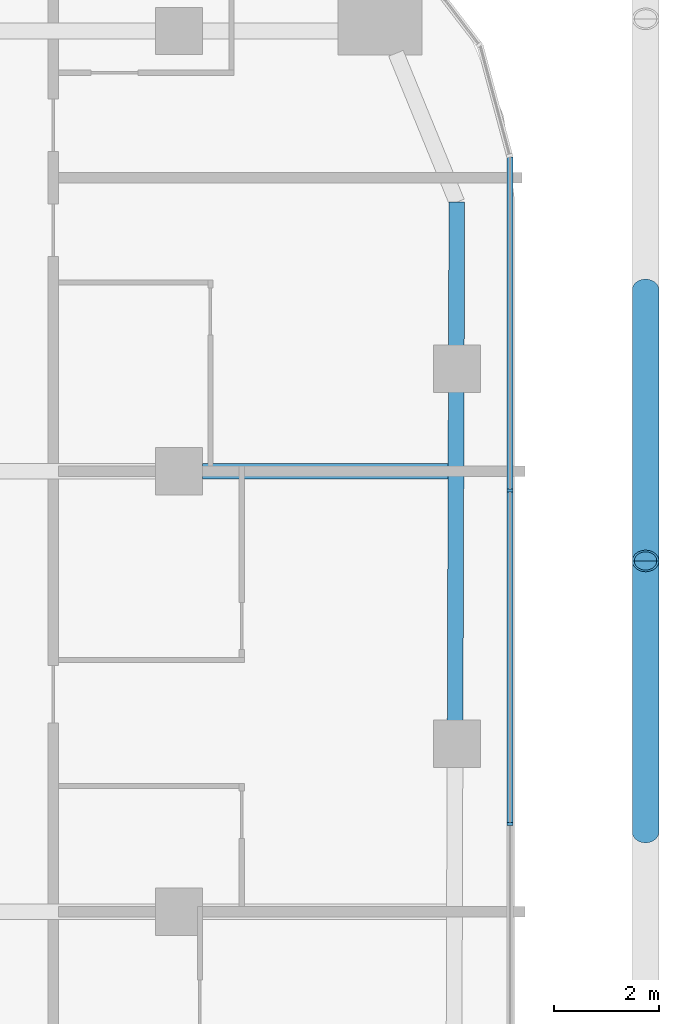
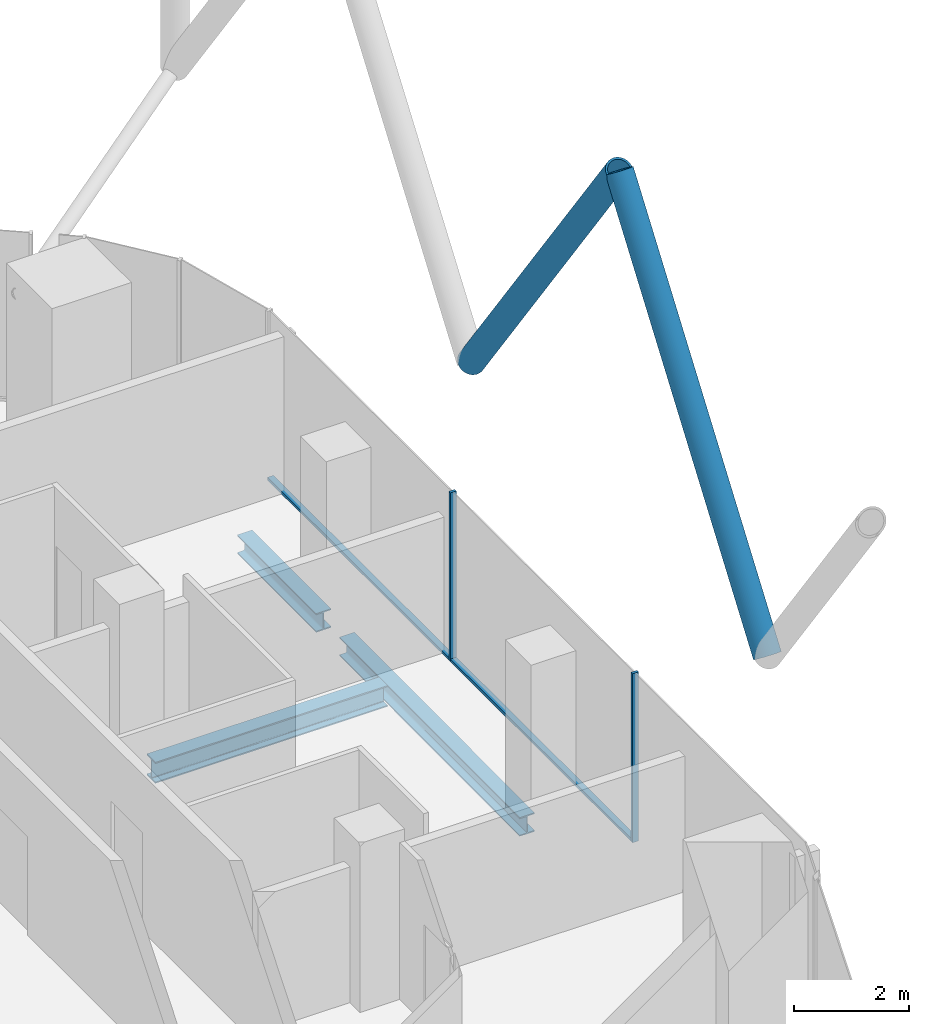
# One storey, part 13 of 33: 6 members, 3 beams, 1 element without a shape of its own.
"""IFC4 building model written with IfcOpenShell, lengths in metres."""

from ifc_helpers import new_model, si_unit, direction, frame, origin, origin_2d, place, context, subcontext, project, spatial, rectangle, hollow_circle, i_section, extrude, material, layer, layer_set, material_profile, profile_set, type_object, element, aggregate, save


model = new_model("IFC4")

# Units and contexts
model_context = context("Model", 3, precision=1e-05, world=origin(), true_north=direction((0.0, 1.0)))
body_context = subcontext(model_context, "Body", "Model", "MODEL_VIEW")
ifc_project = project(units=[si_unit("LENGTHUNIT", "METRE"), si_unit("AREAUNIT", "SQUARE_METRE"), si_unit("VOLUMEUNIT", "CUBIC_METRE"), si_unit("PLANEANGLEUNIT", "RADIAN"), si_unit("MASSUNIT", "GRAM", prefix="KILO")], contexts=[model_context])

# Site, building, storey
site_placement = place(None, origin())
site = spatial("IfcSite", under=ifc_project, at=site_placement, CompositionType="ELEMENT")
building_placement = place(site_placement, origin())
building = spatial("IfcBuilding", under=site, at=building_placement, Name="Marenta Gate Hotel Tower", CompositionType="ELEMENT")
storey_placement = place(building_placement, frame((0.0, 0.0, 122.89990234375)))
storey = spatial("IfcBuildingStorey", under=building, at=storey_placement, Name="L27", CompositionType="ELEMENT", Elevation=122.89990234375)

# Members
ifc_material_1 = material(Name="Steel S355J2W", Category="steel")
ifc_material_profile_1 = material_profile(ifc_material_1, hollow_circle(Radius=0.25390625, WallThickness=0.0400390625, at=origin_2d()), Name="CHS 508x40")
ifc_profile_set_1 = profile_set([ifc_material_profile_1], Name="Steel S355J2W")
member_type_1 = type_object("IfcMemberType", Name="Diagrid diagonal Z2 CHS 508x40", PredefinedType="BRACE", material=ifc_profile_set_1)
member_1_placement = place(storey_placement, frame((29.89990234375, 20.260009765625, 3.14013671875), z_axis=(0.0, -0.583260841117, 0.812284919975), x_axis=(1.0, 0.0, 0.0)))
element("IfcMember", 1, at=member_1_placement, inside=storey, type_object=member_type_1, Name="L27-DG-3", PredefinedType="BRACE", context=body_context, shape_type="SweptSolid", body=[
    extrude(hollow_circle(Radius=0.25390625, WallThickness=0.0400390625, at=origin_2d()), origin(), (0.0, 0.0, 1.0), 8.86376953125),
])
member_2_placement = place(storey_placement, frame((29.89990234375, 9.919921875, 3.14013671875), z_axis=(0.0, 0.583279014058, 0.812271870595), x_axis=(-1.0, 0.0, 0.0)))
element("IfcMember", 2, at=member_2_placement, inside=storey, type_object=member_type_1, Name="L27-DG-4", PredefinedType="BRACE", context=body_context, shape_type="SweptSolid", body=[
    extrude(hollow_circle(Radius=0.25390625, WallThickness=0.0400390625, at=origin_2d()), origin(), (0.0, 0.0, 1.0), 8.864013671875),
])

# Beams
ifc_material_2 = material(Name="Steel S355", Category="steel")
ifc_material_profile_2 = material_profile(ifc_material_2, i_section(OverallWidth=0.300048828125, OverallDepth=0.39990234375, WebThickness=0.013427734375, FlangeThickness=0.02392578125, FilletRadius=0.027099609375, at=origin_2d()), Name="HEB 400")
ifc_profile_set_2 = profile_set([ifc_material_profile_2], Name="Steel S355")
beam_type_1 = type_object("IfcBeamType", Name="Edge beam HEB 400", PredefinedType="SPANDREL", material=ifc_profile_set_2)
beam_1_placement = place(storey_placement, frame((26.300048828125, 21.9345703125, -0.4599609375), z_axis=(-0.003351542298, -0.999994383566, 0.0), x_axis=(0.999994383566, -0.003351542298, 0.0)))
element("IfcBeam", 3, at=beam_1_placement, inside=storey, type_object=beam_type_1, Name="L27-EB-22", PredefinedType="SPANDREL", context=body_context, shape_type="SweptSolid", body=[
    extrude(i_section(OverallWidth=0.300048828125, OverallDepth=0.39990234375, WebThickness=0.013427734375, FlangeThickness=0.02392578125, FilletRadius=0.027099609375, at=origin_2d()), origin(), (0.0, 0.0, 1.0), 2.76806640625),
])
beam_2_placement = place(storey_placement, frame((26.2880859375, 18.346435546875, -0.4599609375), z_axis=(-0.00335374545, -0.99999437618, 0.0), x_axis=(0.99999437618, -0.00335374545, 0.0)))
element("IfcBeam", 4, at=beam_2_placement, inside=storey, type_object=beam_type_1, Name="L27-EB-23", PredefinedType="SPANDREL", context=body_context, shape_type="SweptSolid", body=[
    extrude(i_section(OverallWidth=0.300048828125, OverallDepth=0.39990234375, WebThickness=0.013427734375, FlangeThickness=0.02392578125, FilletRadius=0.027099609375, at=origin_2d()), origin(), (0.0, 0.0, 1.0), 6.333251953125),
])
ifc_material_3 = material(Name="Steel S355", Category="steel")
ifc_material_profile_3 = material_profile(ifc_material_3, i_section(OverallWidth=0.300048828125, OverallDepth=0.449951171875, WebThickness=0.013916015625, FlangeThickness=0.02587890625, FilletRadius=0.027099609375, at=origin_2d()), Name="HEB 450")
ifc_profile_set_3 = profile_set([ifc_material_profile_3], Name="Steel S355")
beam_type_2 = type_object("IfcBeamType", Name="Girder HEB 450", PredefinedType="BEAM", material=ifc_profile_set_3)
beam_3_placement = place(storey_placement, frame((21.449951171875, 16.800048828125, -0.48486328125), z_axis=(1.0, 0.0, 0.0), x_axis=(0.0, 1.0, 0.0)))
element("IfcBeam", 5, at=beam_3_placement, inside=storey, type_object=beam_type_2, Name="L27-GD-28", PredefinedType="BEAM", context=body_context, shape_type="SweptSolid", body=[
    extrude(i_section(OverallWidth=0.300048828125, OverallDepth=0.449951171875, WebThickness=0.013916015625, FlangeThickness=0.02587890625, FilletRadius=0.027099609375, at=origin_2d()), origin(), (0.0, 0.0, 1.0), 4.682861328125),
])

# Curtain wall, members
ifc_material_4 = material(Name="Tinted insulated glass in bronze anodised frame", Category="glass")
ifc_layer = layer(ifc_material_4, 0.1201171875)
ifc_layer_set = layer_set([ifc_layer], Name="Tinted insulated glass in bronze anodised frame")
curtain_wall_type = type_object("IfcCurtainWallType", Name="Tower unitised curtain wall CW1", PredefinedType="NOTDEFINED", material=ifc_layer_set)
curtain_wall_placement = place(storey_placement, origin())
curtain_wall = element("IfcCurtainWall", 6, at=curtain_wall_placement, inside=storey, type_object=curtain_wall_type, Name="CW1 run G19", PredefinedType="NOTDEFINED")
ifc_material_5 = material(Name="Bronze anodised aluminium", Category="aluminium")
ifc_material_profile_4 = material_profile(ifc_material_5, rectangle(XDim=0.1201171875, YDim=0.06005859375, at=origin_2d()), Name="Mullion CW1 60x120 bronze anodised aluminium")
ifc_profile_set_4 = profile_set([ifc_material_profile_4], Name="Bronze anodised aluminium")
member_type_2 = type_object("IfcMemberType", Name="Mullion CW1 60x120 bronze anodised aluminium", PredefinedType="MULLION", material=ifc_profile_set_4)
member_3_placement = place(storey_placement, frame((27.31396484375, 10.072021484375, 0.0), z_axis=(0.0, 0.0, 1.0), x_axis=(-1.0, 0.0, 0.0)))
member_3 = element("IfcMember", 7, at=member_3_placement, type_object=member_type_2, Name="CW1 mullion 5", PredefinedType="MULLION", context=body_context, shape_type="SweptSolid", body=[
    extrude(rectangle(XDim=0.1201171875, YDim=0.06005859375, at=origin_2d()), origin(), (0.0, 0.0, 1.0), 3.60009765625),
])
member_4_placement = place(storey_placement, frame((27.31396484375, 16.431884765625, 0.0), z_axis=(0.0, 0.0, 1.0), x_axis=(-1.0, 0.0, 0.0)))
member_4 = element("IfcMember", 8, at=member_4_placement, type_object=member_type_2, Name="CW1 mullion 6", PredefinedType="MULLION", context=body_context, shape_type="SweptSolid", body=[
    extrude(rectangle(XDim=0.1201171875, YDim=0.06005859375, at=origin_2d()), origin(), (0.0, 0.0, 1.0), 3.60009765625),
])
ifc_material_6 = material(Name="Bronze anodised aluminium", Category="aluminium")
ifc_material_profile_5 = material_profile(ifc_material_6, rectangle(XDim=0.1201171875, YDim=0.06005859375, at=origin_2d()), Name="Transom CW1 60x120 bronze anodised aluminium")
ifc_profile_set_5 = profile_set([ifc_material_profile_5], Name="Bronze anodised aluminium")
member_type_3 = type_object("IfcMemberType", Name="Transom CW1 60x120 bronze anodised aluminium", PredefinedType="USERDEFINED", material=ifc_profile_set_5)
member_5_placement = place(storey_placement, frame((27.31396484375, 10.10205078125, 0.030029296875), z_axis=(0.0, 1.0, 0.0), x_axis=(-1.0, 0.0, 0.0)))
member_5 = element("IfcMember", 9, at=member_5_placement, type_object=member_type_3, Name="CW1 transom 5.1", ObjectType="TRANSOM", PredefinedType="USERDEFINED", context=body_context, shape_type="SweptSolid", body=[
    extrude(rectangle(XDim=0.1201171875, YDim=0.06005859375, at=origin_2d()), origin(), (0.0, 0.0, 1.0), 6.2998046875),
])
member_6_placement = place(storey_placement, frame((27.31396484375, 16.4619140625, 0.030029296875), z_axis=(0.0, 1.0, 0.0), x_axis=(-1.0, 0.0, 0.0)))
member_6 = element("IfcMember", 10, at=member_6_placement, type_object=member_type_3, Name="CW1 transom 6.1", ObjectType="TRANSOM", PredefinedType="USERDEFINED", context=body_context, shape_type="SweptSolid", body=[
    extrude(rectangle(XDim=0.1201171875, YDim=0.06005859375, at=origin_2d()), origin(), (0.0, 0.0, 1.0), 6.330078125),
])
aggregate(curtain_wall, [member_3, member_4, member_5, member_6])

save(model, "model.ifc")
